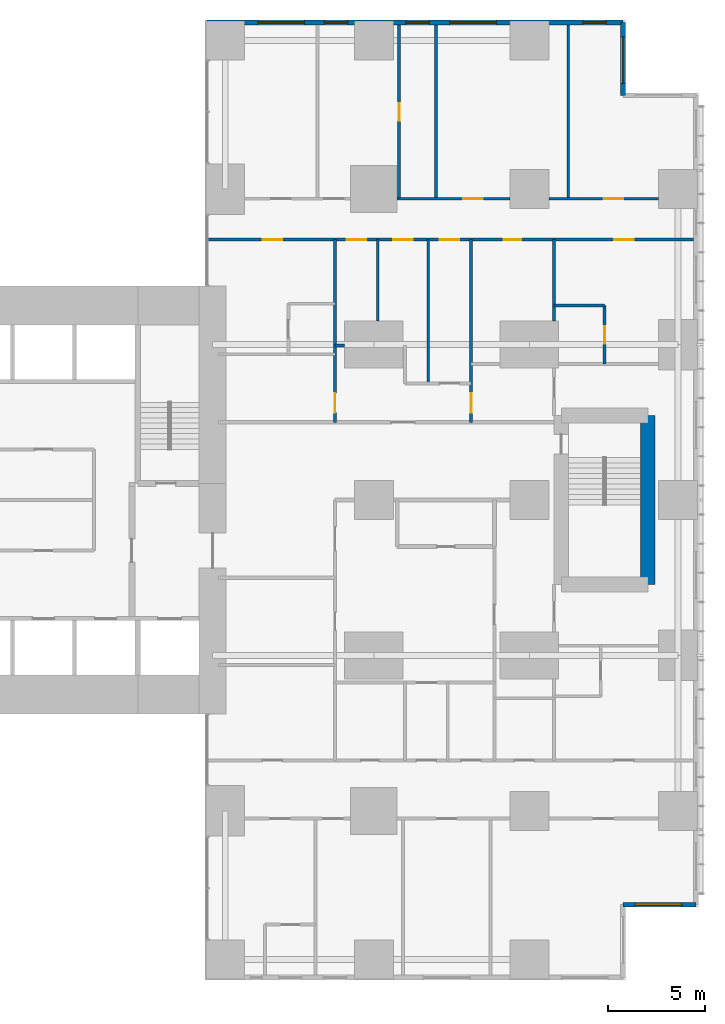
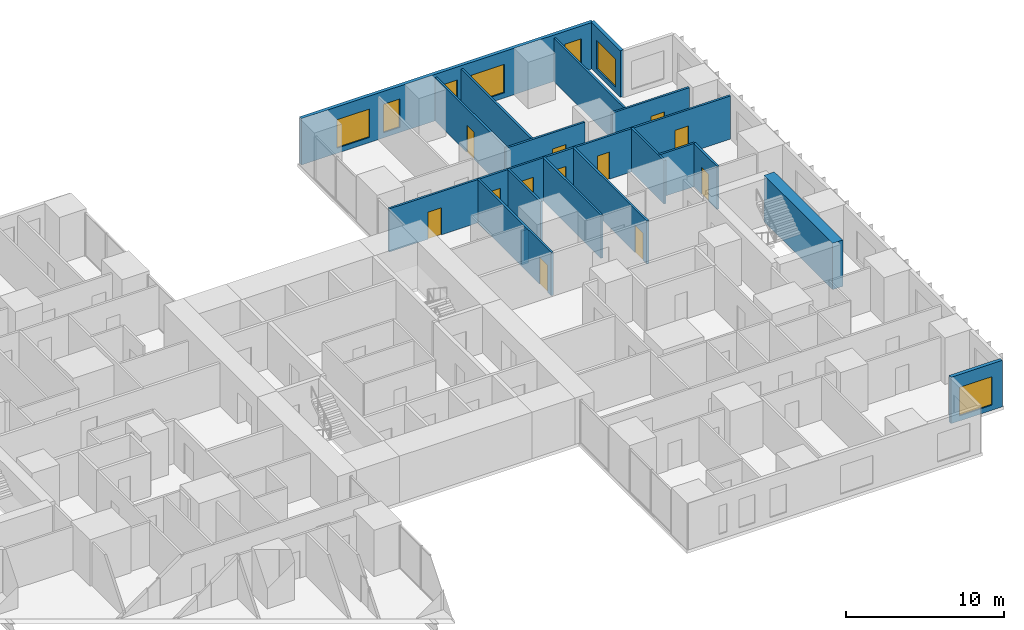
# One storey, part 18 of 20: 18 walls, 12 doors, 7 windows, 19 openings.
"""IFC4 building model written with IfcOpenShell, lengths in metres."""

from ifc_helpers import new_model, si_unit, direction, frame, frame_2d, origin, place, context, subcontext, project, spatial, rectangle, extrude, material, layer, layer_set, type_object, element, fill, save


model = new_model("IFC4")

# Units and contexts
model_context = context("Model", 3, precision=1e-05, world=origin(), true_north=direction((0.0, 1.0)))
body_context = subcontext(model_context, "Body", "Model", "MODEL_VIEW")
ifc_project = project(units=[si_unit("LENGTHUNIT", "METRE"), si_unit("AREAUNIT", "SQUARE_METRE"), si_unit("VOLUMEUNIT", "CUBIC_METRE"), si_unit("PLANEANGLEUNIT", "RADIAN"), si_unit("MASSUNIT", "GRAM", prefix="KILO")], contexts=[model_context])

# Site, building, storey
site_placement = place(None, origin())
site = spatial("IfcSite", under=ifc_project, at=site_placement, CompositionType="ELEMENT")
building_placement = place(site_placement, origin())
building = spatial("IfcBuilding", under=site, at=building_placement, Name="Cleftline Residences", CompositionType="ELEMENT")
storey_placement = place(building_placement, frame((0.0, 0.0, 99.800048828125)))
storey = spatial("IfcBuildingStorey", under=building, at=storey_placement, Name="L25", CompositionType="ELEMENT", Elevation=99.800048828125)

# Wall, opening, window
ifc_material_1 = material(Name="Rendered reinforced concrete blockwork", Category="masonry")
ifc_layer_1 = layer(ifc_material_1, 0.25)
ifc_layer_set_1 = layer_set([ifc_layer_1], Name="EXTERNAL WALL 250")
wall_type_1 = type_object("IfcWallType", Name="EXTERNAL WALL 250", PredefinedType="SOLIDWALL", material=ifc_layer_set_1)
wall_1_placement = place(storey_placement, frame((62.824951171875, 3.175048828125, 0.0), z_axis=(0.0, 0.0, 1.0), x_axis=(1.0, 0.0, 0.0)))
wall_1 = element("IfcWall", 1, at=wall_1_placement, inside=storey, type_object=wall_type_1, Name="External wall", PredefinedType="SOLIDWALL", context=body_context, shape_type="SweptSolid", body=[
    extrude(rectangle(XDim=3.75, YDim=0.25, at=frame_2d((1.875, 0.0))), origin(), (0.0, 0.0, 1.0), 3.599853515625),
])
opening_1_placement = place(wall_1_placement, frame((0.612548828125, 0.0, 0.39990234375)))
opening_1 = element("IfcOpeningElement", 2, at=opening_1_placement, cuts=wall_1, Name="Opening W12", PredefinedType="OPENING", context=body_context, shape_type="SweptSolid", body=[
    extrude(rectangle(XDim=2.39990234375, YDim=2.199951171875, at=frame_2d((1.199951171875, 1.10009765625))), frame((0.0, 0.135009765625, 0.0), z_axis=(0.0, -1.0, 0.0), x_axis=(1.0, 0.0, 0.0)), (0.0, 0.0, 1.0), 0.27001953125),
])
ifc_material_2 = material(Name="Aluminium frame, clear double glazing", Category="aluminium")
window_type_1 = type_object("IfcWindowType", Name="WINDOW 2400X2200", PartitioningType="DOUBLE_PANEL_VERTICAL", PredefinedType="WINDOW", material=ifc_material_2)
window_1_placement = place(opening_1_placement, origin())
window_1 = element("IfcWindow", 3, at=window_1_placement, inside=storey, type_object=window_type_1, Name="Window", OverallHeight=2.199951171875, OverallWidth=2.39990234375, PartitioningType="SINGLE_PANEL", PredefinedType="WINDOW", context=body_context, shape_type="SweptSolid", body=[
    extrude(rectangle(XDim=2.39990234375, YDim=2.199951171875, at=frame_2d((1.199951171875, 1.10009765625))), frame((0.0, 0.030029296875, 0.0), z_axis=(0.0, -1.0, 0.0), x_axis=(1.0, 0.0, 0.0)), (0.0, 0.0, 1.0), 0.06005859375),
])
fill(opening_1, window_1)

wall_2_placement = place(storey_placement, frame((62.824951171875, 44.824951171875, 0.0), z_axis=(0.0, 0.0, 1.0), x_axis=(0.0, 1.0, 0.0)))
wall_2 = element("IfcWall", 4, at=wall_2_placement, inside=storey, type_object=wall_type_1, Name="External wall", PredefinedType="SOLIDWALL", context=body_context, shape_type="SweptSolid", body=[
    extrude(rectangle(XDim=3.75, YDim=0.25, at=frame_2d((1.875, 0.0))), origin(), (0.0, 0.0, 1.0), 3.599853515625),
])
opening_2_placement = place(wall_2_placement, frame((0.612548828125, 0.0, 0.39990234375)))
opening_2 = element("IfcOpeningElement", 5, at=opening_2_placement, cuts=wall_2, Name="Opening W12", PredefinedType="OPENING", context=body_context, shape_type="SweptSolid", body=[
    extrude(rectangle(XDim=2.39990234375, YDim=2.199951171875, at=frame_2d((1.199951171875, 1.10009765625))), frame((0.0, 0.135009765625, 0.0), z_axis=(0.0, -1.0, 0.0), x_axis=(1.0, 0.0, 0.0)), (0.0, 0.0, 1.0), 0.27001953125),
])
window_2_placement = place(opening_2_placement, origin())
window_2 = element("IfcWindow", 6, at=window_2_placement, inside=storey, type_object=window_type_1, Name="Window", OverallHeight=2.199951171875, OverallWidth=2.39990234375, PartitioningType="SINGLE_PANEL", PredefinedType="WINDOW", context=body_context, shape_type="SweptSolid", body=[
    extrude(rectangle(XDim=2.39990234375, YDim=2.199951171875, at=frame_2d((1.199951171875, 1.10009765625))), frame((0.0, 0.030029296875, 0.0), z_axis=(0.0, -1.0, 0.0), x_axis=(1.0, 0.0, 0.0)), (0.0, 0.0, 1.0), 0.06005859375),
])
fill(opening_2, window_2)

# Wall, openings, windows
wall_3_placement = place(storey_placement, frame((62.824951171875, 48.574951171875, 0.0), z_axis=(0.0, 0.0, 1.0), x_axis=(-1.0, 0.0, 0.0)))
wall_3 = element("IfcWall", 7, at=wall_3_placement, inside=storey, type_object=wall_type_1, Name="External wall", PredefinedType="SOLIDWALL", context=body_context, shape_type="SweptSolid", body=[
    extrude(rectangle(XDim=21.39990234375, YDim=0.25, at=frame_2d((10.699951171875, 0.0))), origin(), (0.0, 0.0, 1.0), 3.599853515625),
])
opening_3_placement = place(wall_3_placement, frame((0.875, 0.0, 0.39990234375)))
opening_3 = element("IfcOpeningElement", 8, at=opening_3_placement, cuts=wall_3, Name="Opening W11", PredefinedType="OPENING", context=body_context, shape_type="SweptSolid", body=[
    extrude(rectangle(XDim=1.199951171875, YDim=2.199951171875, at=frame_2d((0.60009765625, 1.10009765625))), frame((0.0, 0.135009765625, 0.0), z_axis=(0.0, -1.0, 0.0), x_axis=(1.0, 0.0, 0.0)), (0.0, 0.0, 1.0), 0.27001953125),
])
opening_4_placement = place(wall_3_placement, frame((6.52490234375, 0.0, 0.39990234375)))
opening_4 = element("IfcOpeningElement", 9, at=opening_4_placement, cuts=wall_3, Name="Opening W12", PredefinedType="OPENING", context=body_context, shape_type="SweptSolid", body=[
    extrude(rectangle(XDim=2.39990234375, YDim=2.199951171875, at=frame_2d((1.199951171875, 1.10009765625))), frame((0.0, 0.135009765625, 0.0), z_axis=(0.0, -1.0, 0.0), x_axis=(1.0, 0.0, 0.0)), (0.0, 0.0, 1.0), 0.27001953125),
])
opening_5_placement = place(wall_3_placement, frame((9.97509765625, 0.0, 0.39990234375)))
opening_5 = element("IfcOpeningElement", 10, at=opening_5_placement, cuts=wall_3, Name="Opening W11", PredefinedType="OPENING", context=body_context, shape_type="SweptSolid", body=[
    extrude(rectangle(XDim=1.199951171875, YDim=2.199951171875, at=frame_2d((0.60009765625, 1.10009765625))), frame((0.0, 0.135009765625, 0.0), z_axis=(0.0, -1.0, 0.0), x_axis=(1.0, 0.0, 0.0)), (0.0, 0.0, 1.0), 0.27001953125),
])
opening_6_placement = place(wall_3_placement, frame((14.175048828125, 0.0, 0.39990234375)))
opening_6 = element("IfcOpeningElement", 11, at=opening_6_placement, cuts=wall_3, Name="Opening W11", PredefinedType="OPENING", context=body_context, shape_type="SweptSolid", body=[
    extrude(rectangle(XDim=1.199951171875, YDim=2.199951171875, at=frame_2d((0.60009765625, 1.10009765625))), frame((0.0, 0.135009765625, 0.0), z_axis=(0.0, -1.0, 0.0), x_axis=(1.0, 0.0, 0.0)), (0.0, 0.0, 1.0), 0.27001953125),
])
opening_7_placement = place(wall_3_placement, frame((16.39990234375, 0.0, 0.39990234375)))
opening_7 = element("IfcOpeningElement", 12, at=opening_7_placement, cuts=wall_3, Name="Opening W12", PredefinedType="OPENING", context=body_context, shape_type="SweptSolid", body=[
    extrude(rectangle(XDim=2.39990234375, YDim=2.199951171875, at=frame_2d((1.199951171875, 1.10009765625))), frame((0.0, 0.135009765625, 0.0), z_axis=(0.0, -1.0, 0.0), x_axis=(1.0, 0.0, 0.0)), (0.0, 0.0, 1.0), 0.27001953125),
])
ifc_material_3 = material(Name="Aluminium frame, clear double glazing", Category="aluminium")
window_type_2 = type_object("IfcWindowType", Name="WINDOW 1200X2200", PartitioningType="DOUBLE_PANEL_VERTICAL", PredefinedType="WINDOW", material=ifc_material_3)
window_3_placement = place(opening_3_placement, origin())
window_3 = element("IfcWindow", 13, at=window_3_placement, inside=storey, type_object=window_type_2, Name="Window", OverallHeight=2.199951171875, OverallWidth=1.199951171875, PartitioningType="SINGLE_PANEL", PredefinedType="WINDOW", context=body_context, shape_type="SweptSolid", body=[
    extrude(rectangle(XDim=1.199951171875, YDim=2.199951171875, at=frame_2d((0.60009765625, 1.10009765625))), frame((0.0, 0.030029296875, 0.0), z_axis=(0.0, -1.0, 0.0), x_axis=(1.0, 0.0, 0.0)), (0.0, 0.0, 1.0), 0.06005859375),
])
fill(opening_3, window_3)
window_4_placement = place(opening_5_placement, origin())
window_4 = element("IfcWindow", 14, at=window_4_placement, inside=storey, type_object=window_type_2, Name="Window", OverallHeight=2.199951171875, OverallWidth=1.199951171875, PartitioningType="SINGLE_PANEL", PredefinedType="WINDOW", context=body_context, shape_type="SweptSolid", body=[
    extrude(rectangle(XDim=1.199951171875, YDim=2.199951171875, at=frame_2d((0.60009765625, 1.10009765625))), frame((0.0, 0.030029296875, 0.0), z_axis=(0.0, -1.0, 0.0), x_axis=(1.0, 0.0, 0.0)), (0.0, 0.0, 1.0), 0.06005859375),
])
fill(opening_5, window_4)
window_5_placement = place(opening_6_placement, origin())
window_5 = element("IfcWindow", 15, at=window_5_placement, inside=storey, type_object=window_type_2, Name="Window", OverallHeight=2.199951171875, OverallWidth=1.199951171875, PartitioningType="SINGLE_PANEL", PredefinedType="WINDOW", context=body_context, shape_type="SweptSolid", body=[
    extrude(rectangle(XDim=1.199951171875, YDim=2.199951171875, at=frame_2d((0.60009765625, 1.10009765625))), frame((0.0, 0.030029296875, 0.0), z_axis=(0.0, -1.0, 0.0), x_axis=(1.0, 0.0, 0.0)), (0.0, 0.0, 1.0), 0.06005859375),
])
fill(opening_6, window_5)
window_6_placement = place(opening_4_placement, origin())
window_6 = element("IfcWindow", 16, at=window_6_placement, inside=storey, type_object=window_type_1, Name="Window", OverallHeight=2.199951171875, OverallWidth=2.39990234375, PartitioningType="SINGLE_PANEL", PredefinedType="WINDOW", context=body_context, shape_type="SweptSolid", body=[
    extrude(rectangle(XDim=2.39990234375, YDim=2.199951171875, at=frame_2d((1.199951171875, 1.10009765625))), frame((0.0, 0.030029296875, 0.0), z_axis=(0.0, -1.0, 0.0), x_axis=(1.0, 0.0, 0.0)), (0.0, 0.0, 1.0), 0.06005859375),
])
fill(opening_4, window_6)
window_7_placement = place(opening_7_placement, origin())
window_7 = element("IfcWindow", 17, at=window_7_placement, inside=storey, type_object=window_type_1, Name="Window", OverallHeight=2.199951171875, OverallWidth=2.39990234375, PartitioningType="SINGLE_PANEL", PredefinedType="WINDOW", context=body_context, shape_type="SweptSolid", body=[
    extrude(rectangle(XDim=2.39990234375, YDim=2.199951171875, at=frame_2d((1.199951171875, 1.10009765625))), frame((0.0, 0.030029296875, 0.0), z_axis=(0.0, -1.0, 0.0), x_axis=(1.0, 0.0, 0.0)), (0.0, 0.0, 1.0), 0.06005859375),
])
fill(opening_7, window_7)

# Walls
ifc_material_4 = material(Name="Gypsum board on steel studs", Category="steel")
ifc_layer_2 = layer(ifc_material_4, 0.14990234375)
ifc_layer_set_2 = layer_set([ifc_layer_2], Name="PARTITION 150")
wall_type_2 = type_object("IfcWallType", Name="PARTITION 150", PredefinedType="PARTITIONING", material=ifc_layer_set_2)
wall_4_placement = place(storey_placement, frame((48.0, 31.949951171875, 0.0), z_axis=(0.0, 0.0, 1.0), x_axis=(1.0, 0.0, 0.0)))
element("IfcWall", 18, at=wall_4_placement, inside=storey, type_object=wall_type_2, Name="Partition", PredefinedType="PARTITIONING", context=body_context, shape_type="SweptSolid", body=[
    extrude(rectangle(XDim=0.5, YDim=0.14990234375, at=frame_2d((0.25, 0.0))), origin(), (0.0, 0.0, 1.0), 2.634033203125),
])
wall_5_placement = place(storey_placement, frame((59.27490234375, 34.0, 0.0), z_axis=(0.0, 0.0, 1.0), x_axis=(1.0, 0.0, 0.0)))
element("IfcWall", 19, at=wall_5_placement, inside=storey, type_object=wall_type_2, Name="Partition", PredefinedType="PARTITIONING", context=body_context, shape_type="SweptSolid", body=[
    extrude(rectangle(XDim=2.60009765625, YDim=0.14990234375, at=frame_2d((1.300048828125, 0.0))), origin(), (0.0, 0.0, 1.0), 3.349853515625),
])

# Wall, openings, doors
wall_6_placement = place(storey_placement, frame((41.43896484375, 37.39990234375, 0.0), z_axis=(0.0, 0.0, 1.0), x_axis=(1.0, 0.0, 0.0)))
wall_6 = element("IfcWall", 20, at=wall_6_placement, inside=storey, type_object=wall_type_2, Name="Partition", PredefinedType="PARTITIONING", context=body_context, shape_type="SweptSolid", body=[
    extrude(rectangle(XDim=25.010986328125, YDim=0.14990234375, at=frame_2d((12.50537109375, 0.0))), origin(), (0.0, 0.0, 1.0), 3.349853515625),
])
opening_8_placement = place(wall_6_placement, frame((11.9609375, 0.0, 0.0)))
opening_8 = element("IfcOpeningElement", 21, at=opening_8_placement, cuts=wall_6, Name="Opening D2F30", PredefinedType="OPENING", context=body_context, shape_type="SweptSolid", body=[
    extrude(rectangle(XDim=1.0, YDim=2.10009765625, at=frame_2d((0.5, 1.050048828125))), frame((0.0, 0.0849609375, 0.0), z_axis=(0.0, -1.0, 0.0), x_axis=(1.0, 0.0, 0.0)), (0.0, 0.0, 1.0), 0.169921875),
])
opening_9_placement = place(wall_6_placement, frame((20.923583984375, 0.0, 0.0)))
opening_9 = element("IfcOpeningElement", 22, at=opening_9_placement, cuts=wall_6, Name="Opening D2F30", PredefinedType="OPENING", context=body_context, shape_type="SweptSolid", body=[
    extrude(rectangle(XDim=1.0, YDim=2.10009765625, at=frame_2d((0.5, 1.050048828125))), frame((0.0, 0.0849609375, 0.0), z_axis=(0.0, -1.0, 0.0), x_axis=(1.0, 0.0, 0.0)), (0.0, 0.0, 1.0), 0.169921875),
])
opening_10_placement = place(wall_6_placement, frame((15.24853515625, 0.0, 0.0)))
opening_10 = element("IfcOpeningElement", 23, at=opening_10_placement, cuts=wall_6, Name="Opening D1F30", PredefinedType="OPENING", context=body_context, shape_type="SweptSolid", body=[
    extrude(rectangle(XDim=0.89990234375, YDim=2.10009765625, at=frame_2d((0.449951171875, 1.050048828125))), frame((0.0, 0.0849609375, 0.0), z_axis=(0.0, -1.0, 0.0), x_axis=(1.0, 0.0, 0.0)), (0.0, 0.0, 1.0), 0.169921875),
])
opening_11_placement = place(wall_6_placement, frame((9.56103515625, 0.0, 0.0)))
opening_11 = element("IfcOpeningElement", 24, at=opening_11_placement, cuts=wall_6, Name="Opening D2F30", PredefinedType="OPENING", context=body_context, shape_type="SweptSolid", body=[
    extrude(rectangle(XDim=1.0, YDim=2.10009765625, at=frame_2d((0.5, 1.050048828125))), frame((0.0, 0.0849609375, 0.0), z_axis=(0.0, -1.0, 0.0), x_axis=(1.0, 0.0, 0.0)), (0.0, 0.0, 1.0), 0.169921875),
])
opening_12_placement = place(wall_6_placement, frame((7.160888671875, 0.0, 0.0)))
opening_12 = element("IfcOpeningElement", 25, at=opening_12_placement, cuts=wall_6, Name="Opening D2F30", PredefinedType="OPENING", context=body_context, shape_type="SweptSolid", body=[
    extrude(rectangle(XDim=1.0, YDim=2.10009765625, at=frame_2d((0.5, 1.050048828125))), frame((0.0, 0.0849609375, 0.0), z_axis=(0.0, -1.0, 0.0), x_axis=(1.0, 0.0, 0.0)), (0.0, 0.0, 1.0), 0.169921875),
])
opening_13_placement = place(wall_6_placement, frame((2.8359375, 0.0, 0.0)))
opening_13 = element("IfcOpeningElement", 26, at=opening_13_placement, cuts=wall_6, Name="Opening D2F30", PredefinedType="OPENING", context=body_context, shape_type="SweptSolid", body=[
    extrude(rectangle(XDim=1.0, YDim=2.10009765625, at=frame_2d((0.5, 1.050048828125))), frame((0.0, 0.0849609375, 0.0), z_axis=(0.0, -1.0, 0.0), x_axis=(1.0, 0.0, 0.0)), (0.0, 0.0, 1.0), 0.169921875),
])
ifc_material_5 = material(Name="Timber veneer on solid core", Category="wood")
door_type_1 = type_object("IfcDoorType", Name="DOOR 1000X2100 EI 30", OperationType="SINGLE_SWING_LEFT", PredefinedType="DOOR", material=ifc_material_5)
door_1_placement = place(opening_8_placement, origin())
door_1 = element("IfcDoor", 27, at=door_1_placement, inside=storey, type_object=door_type_1, Name="Door to residence hall (gallery)", OperationType="SINGLE_SWING_RIGHT", OverallHeight=2.10009765625, OverallWidth=1.0, PredefinedType="DOOR", context=body_context, shape_type="SweptSolid", body=[
    extrude(rectangle(XDim=1.0, YDim=2.10009765625, at=frame_2d((0.5, 1.050048828125))), frame((0.0, 0.02490234375, 0.0), z_axis=(0.0, -1.0, 0.0), x_axis=(1.0, 0.0, 0.0)), (0.0, 0.0, 1.0), 0.050048828125),
])
fill(opening_8, door_1)
door_2_placement = place(opening_9_placement, origin())
door_2 = element("IfcDoor", 28, at=door_2_placement, inside=storey, type_object=door_type_1, Name="Door to master bedroom", OperationType="SINGLE_SWING_LEFT", OverallHeight=2.10009765625, OverallWidth=1.0, PredefinedType="DOOR", context=body_context, shape_type="SweptSolid", body=[
    extrude(rectangle(XDim=1.0, YDim=2.10009765625, at=frame_2d((0.5, 1.050048828125))), frame((0.0, 0.02490234375, 0.0), z_axis=(0.0, -1.0, 0.0), x_axis=(1.0, 0.0, 0.0)), (0.0, 0.0, 1.0), 0.050048828125),
])
fill(opening_9, door_2)
door_3_placement = place(opening_11_placement, origin())
door_3 = element("IfcDoor", 29, at=door_3_placement, inside=storey, type_object=door_type_1, Name="Door to dining room", OperationType="SINGLE_SWING_RIGHT", OverallHeight=2.10009765625, OverallWidth=1.0, PredefinedType="DOOR", context=body_context, shape_type="SweptSolid", body=[
    extrude(rectangle(XDim=1.0, YDim=2.10009765625, at=frame_2d((0.5, 1.050048828125))), frame((0.0, 0.02490234375, 0.0), z_axis=(0.0, -1.0, 0.0), x_axis=(1.0, 0.0, 0.0)), (0.0, 0.0, 1.0), 0.050048828125),
])
fill(opening_11, door_3)
door_4_placement = place(opening_12_placement, origin())
door_4 = element("IfcDoor", 30, at=door_4_placement, inside=storey, type_object=door_type_1, Name="Door to show kitchen", OperationType="SINGLE_SWING_RIGHT", OverallHeight=2.10009765625, OverallWidth=1.0, PredefinedType="DOOR", context=body_context, shape_type="SweptSolid", body=[
    extrude(rectangle(XDim=1.0, YDim=2.10009765625, at=frame_2d((0.5, 1.050048828125))), frame((0.0, 0.02490234375, 0.0), z_axis=(0.0, -1.0, 0.0), x_axis=(1.0, 0.0, 0.0)), (0.0, 0.0, 1.0), 0.050048828125),
])
fill(opening_12, door_4)
door_5_placement = place(opening_13_placement, origin())
door_5 = element("IfcDoor", 31, at=door_5_placement, inside=storey, type_object=door_type_1, Name="Door to bedroom 3", OperationType="SINGLE_SWING_RIGHT", OverallHeight=2.10009765625, OverallWidth=1.0, PredefinedType="DOOR", context=body_context, shape_type="SweptSolid", body=[
    extrude(rectangle(XDim=1.0, YDim=2.10009765625, at=frame_2d((0.5, 1.050048828125))), frame((0.0, 0.02490234375, 0.0), z_axis=(0.0, -1.0, 0.0), x_axis=(1.0, 0.0, 0.0)), (0.0, 0.0, 1.0), 0.050048828125),
])
fill(opening_13, door_5)
ifc_material_6 = material(Name="Timber veneer on solid core", Category="wood")
door_type_2 = type_object("IfcDoorType", Name="DOOR 900X2100 EI 30", OperationType="SINGLE_SWING_LEFT", PredefinedType="DOOR", material=ifc_material_6)
door_6_placement = place(opening_10_placement, origin())
door_6 = element("IfcDoor", 32, at=door_6_placement, inside=storey, type_object=door_type_2, Name="Door to guest bathroom", OperationType="SINGLE_SWING_LEFT", OverallHeight=2.10009765625, OverallWidth=0.89990234375, PredefinedType="DOOR", context=body_context, shape_type="SweptSolid", body=[
    extrude(rectangle(XDim=0.89990234375, YDim=2.10009765625, at=frame_2d((0.449951171875, 1.050048828125))), frame((0.0, 0.02490234375, 0.0), z_axis=(0.0, -1.0, 0.0), x_axis=(1.0, 0.0, 0.0)), (0.0, 0.0, 1.0), 0.050048828125),
])
fill(opening_10, door_6)

# Wall, opening, door
wall_7_placement = place(storey_placement, frame((51.199951171875, 39.5, 0.0), z_axis=(0.0, 0.0, 1.0), x_axis=(1.0, 0.0, 0.0)))
wall_7 = element("IfcWall", 33, at=wall_7_placement, inside=storey, type_object=wall_type_2, Name="Partition", PredefinedType="PARTITIONING", context=body_context, shape_type="SweptSolid", body=[
    extrude(rectangle(XDim=5.800048828125, YDim=0.14990234375, at=frame_2d((2.89990234375, 0.0))), origin(), (0.0, 0.0, 1.0), 3.349853515625),
])
opening_14_placement = place(wall_7_placement, frame((3.39990234375, 0.0, 0.0)))
opening_14 = element("IfcOpeningElement", 34, at=opening_14_placement, cuts=wall_7, Name="Opening D2", PredefinedType="OPENING", context=body_context, shape_type="SweptSolid", body=[
    extrude(rectangle(XDim=1.0, YDim=2.10009765625, at=frame_2d((0.5, 1.050048828125))), frame((0.0, 0.0849609375, 0.0), z_axis=(0.0, -1.0, 0.0), x_axis=(1.0, 0.0, 0.0)), (0.0, 0.0, 1.0), 0.169921875),
])
ifc_material_7 = material(Name="Timber veneer on solid core", Category="wood")
door_type_3 = type_object("IfcDoorType", Name="DOOR 1000X2100", OperationType="SINGLE_SWING_LEFT", PredefinedType="DOOR", material=ifc_material_7)
door_7_placement = place(opening_14_placement, origin())
door_7 = element("IfcDoor", 35, at=door_7_placement, inside=storey, type_object=door_type_3, Name="Door to living room", OperationType="SINGLE_SWING_LEFT", OverallHeight=2.10009765625, OverallWidth=1.0, PredefinedType="DOOR", context=body_context, shape_type="SweptSolid", body=[
    extrude(rectangle(XDim=1.0, YDim=2.10009765625, at=frame_2d((0.5, 1.050048828125))), frame((0.0, 0.02490234375, 0.0), z_axis=(0.0, -1.0, 0.0), x_axis=(1.0, 0.0, 0.0)), (0.0, 0.0, 1.0), 0.050048828125),
])
fill(opening_14, door_7)

wall_8_placement = place(storey_placement, frame((59.0, 39.5, 0.0), z_axis=(0.0, 0.0, 1.0), x_axis=(1.0, 0.0, 0.0)))
wall_8 = element("IfcWall", 36, at=wall_8_placement, inside=storey, type_object=wall_type_2, Name="Partition", PredefinedType="PARTITIONING", context=body_context, shape_type="SweptSolid", body=[
    extrude(rectangle(XDim=5.64990234375, YDim=0.14990234375, at=frame_2d((2.824951171875, 0.0))), origin(), (0.0, 0.0, 1.0), 3.349853515625),
])
opening_15_placement = place(wall_8_placement, frame((2.824951171875, 0.0, 0.0)))
opening_15 = element("IfcOpeningElement", 37, at=opening_15_placement, cuts=wall_8, Name="Opening D2", PredefinedType="OPENING", context=body_context, shape_type="SweptSolid", body=[
    extrude(rectangle(XDim=1.0, YDim=2.10009765625, at=frame_2d((0.5, 1.050048828125))), frame((0.0, 0.0849609375, 0.0), z_axis=(0.0, -1.0, 0.0), x_axis=(1.0, 0.0, 0.0)), (0.0, 0.0, 1.0), 0.169921875),
])
door_8_placement = place(opening_15_placement, origin())
door_8 = element("IfcDoor", 38, at=door_8_placement, inside=storey, type_object=door_type_3, Name="Door to winter garden", OperationType="SINGLE_SWING_LEFT", OverallHeight=2.10009765625, OverallWidth=1.0, PredefinedType="DOOR", context=body_context, shape_type="SweptSolid", body=[
    extrude(rectangle(XDim=1.0, YDim=2.10009765625, at=frame_2d((0.5, 1.050048828125))), frame((0.0, 0.02490234375, 0.0), z_axis=(0.0, -1.0, 0.0), x_axis=(1.0, 0.0, 0.0)), (0.0, 0.0, 1.0), 0.050048828125),
])
fill(opening_15, door_8)

wall_9_placement = place(storey_placement, frame((48.0, 28.0, 0.0), z_axis=(0.0, 0.0, 1.0), x_axis=(0.0, 1.0, 0.0)))
wall_9 = element("IfcWall", 39, at=wall_9_placement, inside=storey, type_object=wall_type_2, Name="Partition", PredefinedType="PARTITIONING", context=body_context, shape_type="SweptSolid", body=[
    extrude(rectangle(XDim=9.39990234375, YDim=0.14990234375, at=frame_2d((4.699951171875, 0.0))), origin(), (0.0, 0.0, 1.0), 3.349853515625),
])
opening_16_placement = place(wall_9_placement, frame((0.5, 0.0, 0.0)))
opening_16 = element("IfcOpeningElement", 40, at=opening_16_placement, cuts=wall_9, Name="Opening D2", PredefinedType="OPENING", context=body_context, shape_type="SweptSolid", body=[
    extrude(rectangle(XDim=1.0, YDim=2.10009765625, at=frame_2d((0.5, 1.050048828125))), frame((0.0, 0.0849609375, 0.0), z_axis=(0.0, -1.0, 0.0), x_axis=(1.0, 0.0, 0.0)), (0.0, 0.0, 1.0), 0.169921875),
])
door_9_placement = place(opening_16_placement, origin())
door_9 = element("IfcDoor", 41, at=door_9_placement, inside=storey, type_object=door_type_3, Name="Door to wet kitchen", OperationType="SINGLE_SWING_RIGHT", OverallHeight=2.10009765625, OverallWidth=1.0, PredefinedType="DOOR", context=body_context, shape_type="SweptSolid", body=[
    extrude(rectangle(XDim=1.0, YDim=2.10009765625, at=frame_2d((0.5, 1.050048828125))), frame((0.0, 0.02490234375, 0.0), z_axis=(0.0, -1.0, 0.0), x_axis=(1.0, 0.0, 0.0)), (0.0, 0.0, 1.0), 0.050048828125),
])
fill(opening_16, door_9)

# Wall
wall_10_placement = place(storey_placement, frame((50.199951171875, 33.199951171875, 0.0), z_axis=(0.0, 0.0, 1.0), x_axis=(0.0, 1.0, 0.0)))
element("IfcWall", 42, at=wall_10_placement, inside=storey, type_object=wall_type_2, Name="Partition", PredefinedType="PARTITIONING", context=body_context, shape_type="SweptSolid", body=[
    extrude(rectangle(XDim=4.199951171875, YDim=0.14990234375, at=frame_2d((2.10009765625, 0.0))), origin(), (0.0, 0.0, 1.0), 3.349853515625),
])

# Wall, opening, door
wall_11_placement = place(storey_placement, frame((51.300048828125, 39.5, 0.0), z_axis=(0.0, 0.0, 1.0), x_axis=(0.0, 1.0, 0.0)))
wall_11 = element("IfcWall", 43, at=wall_11_placement, inside=storey, type_object=wall_type_2, Name="Partition", PredefinedType="PARTITIONING", context=body_context, shape_type="SweptSolid", body=[
    extrude(rectangle(XDim=8.949951171875, YDim=0.14990234375, at=frame_2d((4.47509765625, 0.0))), origin(), (0.0, 0.0, 1.0), 3.349853515625),
])
opening_17_placement = place(wall_11_placement, frame((4.02490234375, 0.0, 0.0)))
opening_17 = element("IfcOpeningElement", 44, at=opening_17_placement, cuts=wall_11, Name="Opening D1", PredefinedType="OPENING", context=body_context, shape_type="SweptSolid", body=[
    extrude(rectangle(XDim=0.89990234375, YDim=2.10009765625, at=frame_2d((0.449951171875, 1.050048828125))), frame((0.0, 0.0849609375, 0.0), z_axis=(0.0, -1.0, 0.0), x_axis=(1.0, 0.0, 0.0)), (0.0, 0.0, 1.0), 0.169921875),
])
ifc_material_8 = material(Name="Timber veneer on solid core", Category="wood")
door_type_4 = type_object("IfcDoorType", Name="DOOR 900X2100", OperationType="SINGLE_SWING_LEFT", PredefinedType="DOOR", material=ifc_material_8)
door_10_placement = place(opening_17_placement, origin())
door_10 = element("IfcDoor", 45, at=door_10_placement, inside=storey, type_object=door_type_4, Name="Door to en-suite bathroom 2", OperationType="SINGLE_SWING_LEFT", OverallHeight=2.10009765625, OverallWidth=0.89990234375, PredefinedType="DOOR", context=body_context, shape_type="SweptSolid", body=[
    extrude(rectangle(XDim=0.89990234375, YDim=2.10009765625, at=frame_2d((0.449951171875, 1.050048828125))), frame((0.0, 0.02490234375, 0.0), z_axis=(0.0, -1.0, 0.0), x_axis=(1.0, 0.0, 0.0)), (0.0, 0.0, 1.0), 0.050048828125),
])
fill(opening_17, door_10)

# Walls
wall_12_placement = place(storey_placement, frame((52.800048828125, 30.0, 0.0), z_axis=(0.0, 0.0, 1.0), x_axis=(0.0, 1.0, 0.0)))
element("IfcWall", 46, at=wall_12_placement, inside=storey, type_object=wall_type_2, Name="Partition", PredefinedType="PARTITIONING", context=body_context, shape_type="SweptSolid", body=[
    extrude(rectangle(XDim=7.39990234375, YDim=0.14990234375, at=frame_2d((3.699951171875, 0.0))), origin(), (0.0, 0.0, 1.0), 3.349853515625),
])
wall_13_placement = place(storey_placement, frame((53.199951171875, 39.5, 0.0), z_axis=(0.0, 0.0, 1.0), x_axis=(0.0, 1.0, 0.0)))
element("IfcWall", 47, at=wall_13_placement, inside=storey, type_object=wall_type_2, Name="Partition", PredefinedType="PARTITIONING", context=body_context, shape_type="SweptSolid", body=[
    extrude(rectangle(XDim=8.949951171875, YDim=0.14990234375, at=frame_2d((4.47509765625, 0.0))), origin(), (0.0, 0.0, 1.0), 3.349853515625),
])

# Wall, opening, door
wall_14_placement = place(storey_placement, frame((55.0, 28.0, 0.0), z_axis=(0.0, 0.0, 1.0), x_axis=(0.0, 1.0, 0.0)))
wall_14 = element("IfcWall", 48, at=wall_14_placement, inside=storey, type_object=wall_type_2, Name="Partition", PredefinedType="PARTITIONING", context=body_context, shape_type="SweptSolid", body=[
    extrude(rectangle(XDim=9.39990234375, YDim=0.14990234375, at=frame_2d((4.699951171875, 0.0))), origin(), (0.0, 0.0, 1.0), 3.349853515625),
])
opening_18_placement = place(wall_14_placement, frame((0.5, 0.0, 0.0)))
opening_18 = element("IfcOpeningElement", 49, at=opening_18_placement, cuts=wall_14, Name="Opening D2F30", PredefinedType="OPENING", context=body_context, shape_type="SweptSolid", body=[
    extrude(rectangle(XDim=1.0, YDim=2.10009765625, at=frame_2d((0.5, 1.050048828125))), frame((0.0, 0.0849609375, 0.0), z_axis=(0.0, -1.0, 0.0), x_axis=(1.0, 0.0, 0.0)), (0.0, 0.0, 1.0), 0.169921875),
])
door_11_placement = place(opening_18_placement, origin())
door_11 = element("IfcDoor", 50, at=door_11_placement, inside=storey, type_object=door_type_1, Name="Door to residence lobby", OperationType="SINGLE_SWING_RIGHT", OverallHeight=2.10009765625, OverallWidth=1.0, PredefinedType="DOOR", context=body_context, shape_type="SweptSolid", body=[
    extrude(rectangle(XDim=1.0, YDim=2.10009765625, at=frame_2d((0.5, 1.050048828125))), frame((0.0, 0.02490234375, 0.0), z_axis=(0.0, -1.0, 0.0), x_axis=(1.0, 0.0, 0.0)), (0.0, 0.0, 1.0), 0.050048828125),
])
fill(opening_18, door_11)

# Walls
wall_15_placement = place(storey_placement, frame((59.27490234375, 33.199951171875, 0.0), z_axis=(0.0, 0.0, 1.0), x_axis=(0.0, 1.0, 0.0)))
element("IfcWall", 51, at=wall_15_placement, inside=storey, type_object=wall_type_2, Name="Partition", PredefinedType="PARTITIONING", context=body_context, shape_type="SweptSolid", body=[
    extrude(rectangle(XDim=4.199951171875, YDim=0.14990234375, at=frame_2d((2.10009765625, 0.0))), origin(), (0.0, 0.0, 1.0), 3.349853515625),
])
wall_16_placement = place(storey_placement, frame((60.0, 39.5, 0.0), z_axis=(0.0, 0.0, 1.0), x_axis=(0.0, 1.0, 0.0)))
element("IfcWall", 52, at=wall_16_placement, inside=storey, type_object=wall_type_2, Name="Partition", PredefinedType="PARTITIONING", context=body_context, shape_type="SweptSolid", body=[
    extrude(rectangle(XDim=8.949951171875, YDim=0.14990234375, at=frame_2d((4.47509765625, 0.0))), origin(), (0.0, 0.0, 1.0), 3.349853515625),
])

# Wall, opening, door
wall_17_placement = place(storey_placement, frame((61.875, 31.0, 0.0), z_axis=(0.0, 0.0, 1.0), x_axis=(0.0, 1.0, 0.0)))
wall_17 = element("IfcWall", 53, at=wall_17_placement, inside=storey, type_object=wall_type_2, Name="Partition", PredefinedType="PARTITIONING", context=body_context, shape_type="SweptSolid", body=[
    extrude(rectangle(XDim=3.0, YDim=0.14990234375, at=frame_2d((1.5, 0.0))), origin(), (0.0, 0.0, 1.0), 3.349853515625),
])
opening_19_placement = place(wall_17_placement, frame((1.050048828125, 0.0, 0.0)))
opening_19 = element("IfcOpeningElement", 54, at=opening_19_placement, cuts=wall_17, Name="Opening D1", PredefinedType="OPENING", context=body_context, shape_type="SweptSolid", body=[
    extrude(rectangle(XDim=0.89990234375, YDim=2.10009765625, at=frame_2d((0.449951171875, 1.050048828125))), frame((0.0, 0.0849609375, 0.0), z_axis=(0.0, -1.0, 0.0), x_axis=(1.0, 0.0, 0.0)), (0.0, 0.0, 1.0), 0.169921875),
])
door_12_placement = place(opening_19_placement, origin())
door_12 = element("IfcDoor", 55, at=door_12_placement, inside=storey, type_object=door_type_4, Name="Door to master bathroom", OperationType="SINGLE_SWING_LEFT", OverallHeight=2.10009765625, OverallWidth=0.89990234375, PredefinedType="DOOR", context=body_context, shape_type="SweptSolid", body=[
    extrude(rectangle(XDim=0.89990234375, YDim=2.10009765625, at=frame_2d((0.449951171875, 1.050048828125))), frame((0.0, 0.02490234375, 0.0), z_axis=(0.0, -1.0, 0.0), x_axis=(1.0, 0.0, 0.0)), (0.0, 0.0, 1.0), 0.050048828125),
])
fill(opening_19, door_12)

# Wall
ifc_material_9 = material(Name="Concrete B70", Category="concrete")
ifc_layer_3 = layer(ifc_material_9, 0.75)
ifc_layer_set_3 = layer_set([ifc_layer_3], Name="SHEAR WALL 750")
wall_type_3 = type_object("IfcWallType", Name="SHEAR WALL 750", PredefinedType="SHEAR", material=ifc_layer_set_3)
wall_18_placement = place(storey_placement, frame((64.10009765625, 19.64990234375, 0.0), z_axis=(0.0, 0.0, 1.0), x_axis=(0.0, 1.0, 0.0)))
element("IfcWall", 56, at=wall_18_placement, inside=storey, type_object=wall_type_3, Name="Wing shear wall", PredefinedType="SHEAR", context=body_context, shape_type="SweptSolid", body=[
    extrude(rectangle(XDim=8.7001953125, YDim=0.75, at=frame_2d((4.35009765625, 0.0))), origin(), (0.0, 0.0, 1.0), 3.599853515625),
])

save(model, "model.ifc")
